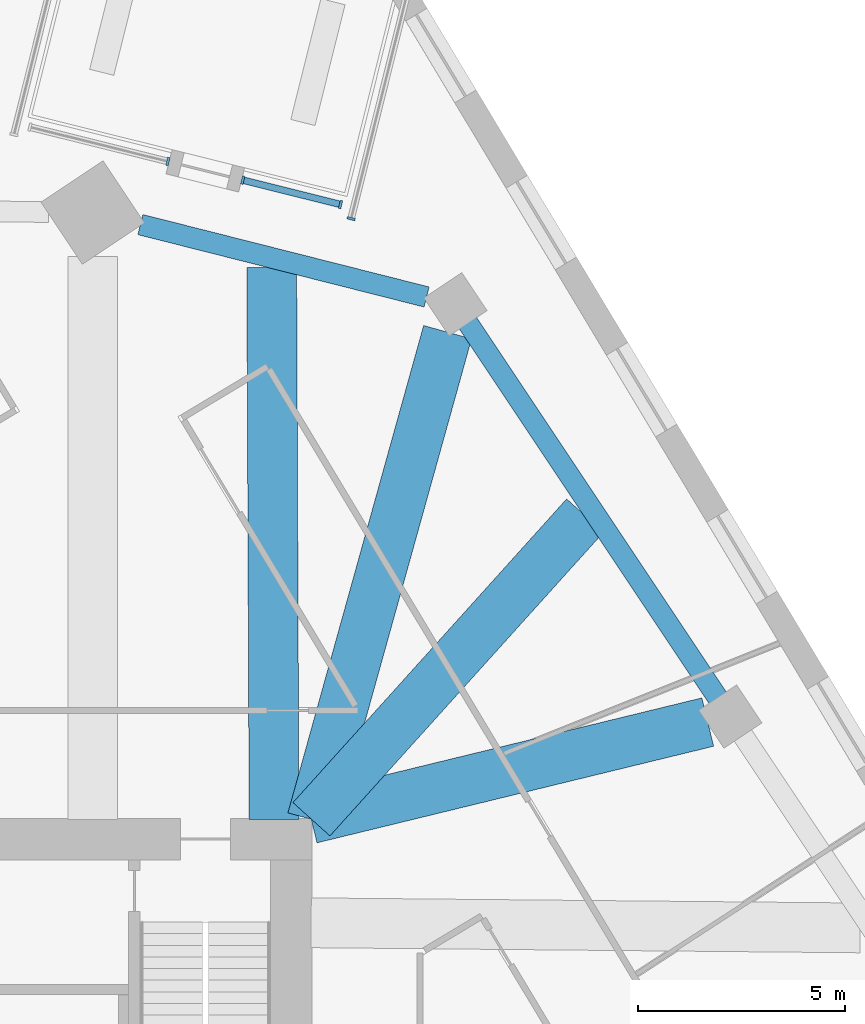
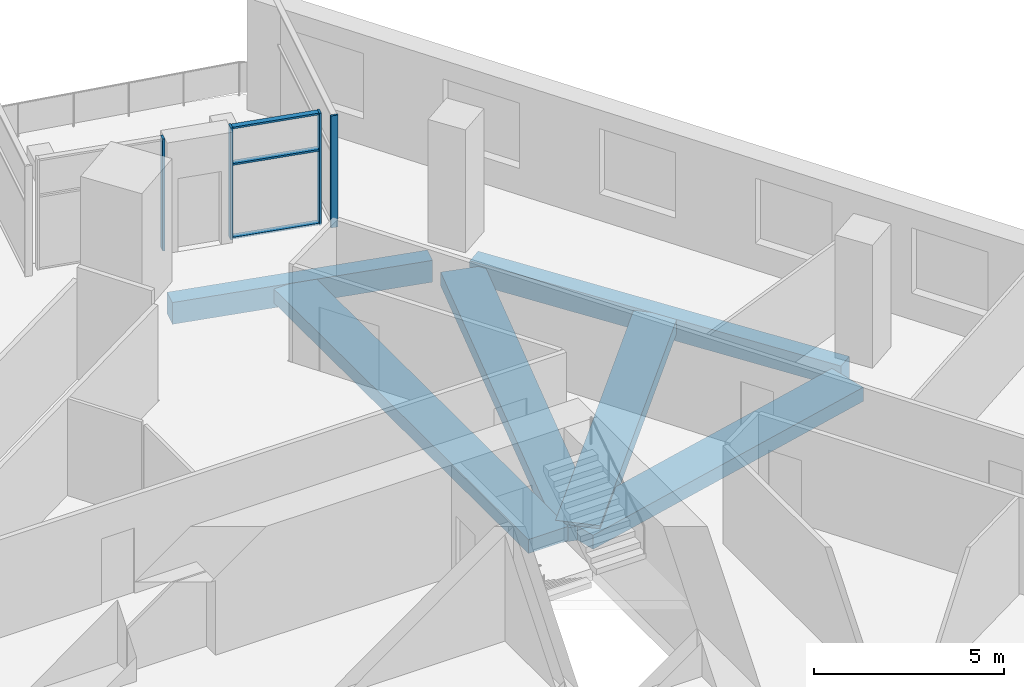
# One storey, part 2 of 14: 7 members, 6 beams, 3 elements without a shape of their own.
"""IFC4 building model written with IfcOpenShell, lengths in metres."""

import ifcopenshell
import ifcopenshell.guid

model = None  # the IFC model being written
_history = None  # IfcOwnerHistory: only IFC2X3 demands one
_inside = {}  # id of a spatial element -> (the spatial element, [elements in it])
_under = {}  # id of a project, library or spatial element -> (it, [spatial elements below it])
_declared = {}  # id of a project -> (the project, [libraries it declares])
_typed = {}  # id of a type object -> (the type object, [elements of that type])
_made_of = {}  # id of a material, layer set ... -> (it, [elements and type objects made of it])


def new_model(schema):
    """Start an empty IFC model of exactly this schema.

    Asked for "IFC4X3", IfcOpenShell would pick the latest addendum, in which some entities
    have other attributes; the version numbers below select the first issue.
    IFC2X3 requires an IfcOwnerHistory on every rooted entity: one is made here for all.
    """
    global model, _history
    if schema == "IFC4X3":
        model = ifcopenshell.file(schema_version=(4, 3, 0, 0))
    else:
        model = ifcopenshell.file(schema=schema)
    _inside.clear()
    _under.clear()
    _declared.clear()
    _typed.clear()
    _made_of.clear()
    _history = None
    if model.schema == "IFC2X3":
        org = make("IfcOrganization", Name="unknown")
        user = make(
            "IfcPersonAndOrganization",
            ThePerson=make("IfcPerson", FamilyName="unknown"),
            TheOrganization=org,
        )
        app = make(
            "IfcApplication",
            ApplicationDeveloper=org,
            Version="unknown",
            ApplicationFullName="unknown",
            ApplicationIdentifier="unknown",
        )
        _history = make(
            "IfcOwnerHistory",
            OwningUser=user,
            OwningApplication=app,
            ChangeAction="ADDED",
            CreationDate=0,
        )
    return model


def make(cls, **values):
    """One entity of the class cls with the attributes given. An attribute that is None is left unset."""
    return model.create_entity(
        cls, **{name: value for name, value in values.items() if value is not None}
    )


def rooted(cls, **values):
    """An entity with a GlobalId (a new one), such as an element, a storey or a relation."""
    return make(cls, GlobalId=ifcopenshell.guid.new(), OwnerHistory=_history, **values)


def si_unit(unit_type, name, prefix=None):
    """IfcSIUnit, for example si_unit("LENGTHUNIT", "METRE", prefix="MILLI")."""
    return make("IfcSIUnit", UnitType=unit_type, Prefix=prefix, Name=name)


def assignment(units):
    """IfcUnitAssignment: the units of a project."""
    return None if units is None else make("IfcUnitAssignment", Units=units)


def point(xyz):
    """IfcCartesianPoint."""
    return None if xyz is None else make("IfcCartesianPoint", Coordinates=xyz)


def direction(xyz):
    """IfcDirection."""
    return None if xyz is None else make("IfcDirection", DirectionRatios=xyz)


def frame(location, z_axis=None, x_axis=None):
    """IfcAxis2Placement3D, a coordinate frame: its origin and axes. An axis left out is left unset."""
    return make(
        "IfcAxis2Placement3D",
        Location=point(location),
        Axis=direction(z_axis),
        RefDirection=direction(x_axis),
    )


def frame_2d(location, x_axis=None):
    """IfcAxis2Placement2D, a coordinate frame in the plane: its origin and x axis."""
    return make(
        "IfcAxis2Placement2D", Location=point(location), RefDirection=direction(x_axis)
    )


def origin():
    """The frame at (0, 0, 0) with its axes left unset."""
    return frame((0.0, 0.0, 0.0))


def origin_2d():
    """The frame at (0, 0) in the plane with its x axis left unset."""
    return frame_2d((0.0, 0.0))


def place(relative_to, where):
    """IfcLocalPlacement: puts the frame where relative to a parent placement (None: the world)."""
    return make(
        "IfcLocalPlacement", PlacementRelTo=relative_to, RelativePlacement=where
    )


def context(
    kind, dimensions, precision=None, world=None, true_north=None, identifier=None
):
    """IfcGeometricRepresentationContext, for example the 3D "Model" context."""
    return make(
        "IfcGeometricRepresentationContext",
        ContextIdentifier=identifier,
        ContextType=kind,
        CoordinateSpaceDimension=dimensions,
        Precision=precision,
        WorldCoordinateSystem=world,
        TrueNorth=true_north,
    )


def subcontext(parent, identifier, kind, view, scale=None):
    """IfcGeometricRepresentationSubContext, for example "Body" below "Model"."""
    return make(
        "IfcGeometricRepresentationSubContext",
        ContextIdentifier=identifier,
        ContextType=kind,
        ParentContext=parent,
        TargetScale=scale,
        TargetView=view,
    )


def project(units=None, contexts=None):
    """IfcProject with its units and contexts."""
    return rooted(
        "IfcProject",
        Name="project",
        RepresentationContexts=contexts,
        UnitsInContext=assignment(units),
    )


def spatial(cls, under=None, at=None, **own):
    """A site, building, storey or space (cls), placed at a placement, below another one or the project."""
    s = rooted(cls, ObjectPlacement=at, **own)
    if under is not None:
        _under.setdefault(under.id(), (under, []))[1].append(s)
    return s


def profile(cls, at=None, kind="AREA", **sizes):
    """A parametric profile (cls). Its sizes go by their IFC names, for example OverallWidth=200.0."""
    return make(cls, ProfileType=kind, Position=at, **sizes)


def rectangle(**sizes):
    """IfcRectangleProfileDef."""
    return profile("IfcRectangleProfileDef", **sizes)


def extrude(swept, where, along, depth):
    """IfcExtrudedAreaSolid: the profile swept, set in the frame where, extruded along a direction by depth."""
    return make(
        "IfcExtrudedAreaSolid",
        SweptArea=swept,
        Position=where,
        ExtrudedDirection=direction(along),
        Depth=depth,
    )


def shape(context_of_items, identifier, shape_type, items):
    """IfcShapeRepresentation: the items that make up one representation, for example the "Body"."""
    return make(
        "IfcShapeRepresentation",
        ContextOfItems=context_of_items,
        RepresentationIdentifier=identifier,
        RepresentationType=shape_type,
        Items=items,
    )


def material(Name=None, Category=None):
    """IfcMaterial."""
    return make("IfcMaterial", Name=Name, Category=Category)


def material_profile(
    of_material, cross_section, Name=None, Category=None, Priority=None
):
    """IfcMaterialProfile: a cross section and its material."""
    return make(
        "IfcMaterialProfile",
        Name=Name,
        Material=of_material,
        Profile=cross_section,
        Priority=Priority,
        Category=Category,
    )


def profile_set(profiles, Name=None, composite=None):
    """IfcMaterialProfileSet."""
    return make(
        "IfcMaterialProfileSet",
        Name=Name,
        MaterialProfiles=profiles,
        CompositeProfile=composite,
    )


def made_of(thing, what):
    """Note that an element or type object is made of a material, layer set ...; save() writes the relation."""
    if what is not None:
        _made_of.setdefault(what.id(), (what, []))[1].append(thing)
    return thing


def type_object(cls, material=None, **own):
    """A type object (cls), such as IfcWallType, which elements share."""
    return made_of(rooted(cls, **own), material)


def element(
    cls,
    number,
    at=None,
    inside=None,
    cuts=None,
    type_object=None,
    material=None,
    context=None,
    identifier="Body",
    shape_type=None,
    held_by="IfcProductDefinitionShape",
    body=None,
    shapes=None,
    **own,
):
    """One element of the class cls, such as IfcWall. Its Tag is "e" and its number.

    at: its placement. inside: the storey or other place that contains it. cuts: it is an
    opening in that element (IfcRelVoidsElement). A single representation is given by context,
    identifier, shape_type and body (its items); several are given by shapes. held_by: the class
    of the entity that holds the representations. save() writes the other relations.
    """
    e = rooted(cls, Tag="e%d" % number, ObjectPlacement=at, **own)
    if body is not None:
        shapes = [shape(context, identifier, shape_type, body)]
    if shapes is not None:
        e.Representation = make(held_by, Representations=shapes)
    if inside is not None:
        _inside.setdefault(inside.id(), (inside, []))[1].append(e)
    if cuts is not None:
        rooted(
            "IfcRelVoidsElement", RelatingBuildingElement=cuts, RelatedOpeningElement=e
        )
    if type_object is not None:
        _typed.setdefault(type_object.id(), (type_object, []))[1].append(e)
    return made_of(e, material)


def aggregate(whole, parts):
    """IfcRelAggregates: a whole, such as a stair, and the parts it consists of."""
    return rooted("IfcRelAggregates", RelatingObject=whole, RelatedObjects=parts)


def save(model, path):
    """Write the relations noted so far, then the file.

    IfcRelAggregates (storeys below a building ...), IfcRelContainedInSpatialStructure (elements
    in a storey), IfcRelDefinesByType, IfcRelAssociatesMaterial and IfcRelDeclares: one each for
    every whole, place, type object, material and project.
    """
    for whole, parts in _under.values():
        aggregate(whole, parts)
    for where, things in _inside.values():
        rooted(
            "IfcRelContainedInSpatialStructure",
            RelatedElements=things,
            RelatingStructure=where,
        )
    for kind, things in _typed.values():
        rooted("IfcRelDefinesByType", RelatedObjects=things, RelatingType=kind)
    for what, things in _made_of.values():
        rooted("IfcRelAssociatesMaterial", RelatedObjects=things, RelatingMaterial=what)
    for by, libraries in _declared.values():
        rooted("IfcRelDeclares", RelatingContext=by, RelatedDefinitions=libraries)
    model.write(path)


model = new_model("IFC4")

# Units and contexts
model_context = context("Model", 3, precision=1e-05, world=origin(), true_north=direction((0.0, 1.0)))
body_context = subcontext(model_context, "Body", "Model", "MODEL_VIEW")
ifc_project = project(units=[si_unit("LENGTHUNIT", "METRE"), si_unit("AREAUNIT", "SQUARE_METRE"), si_unit("VOLUMEUNIT", "CUBIC_METRE"), si_unit("PLANEANGLEUNIT", "RADIAN"), si_unit("MASSUNIT", "GRAM", prefix="KILO")], contexts=[model_context])

# Site, building, storey
site_placement = place(None, origin())
site = spatial("IfcSite", under=ifc_project, at=site_placement, CompositionType="ELEMENT")
building_placement = place(site_placement, origin())
building = spatial("IfcBuilding", under=site, at=building_placement, Name="Dilmun Exchange Tower", CompositionType="ELEMENT")
storey_placement = place(building_placement, frame((0.0, 0.0, 147.699951171875)))
storey = spatial("IfcBuildingStorey", under=building, at=storey_placement, Name="L34", CompositionType="ELEMENT", Elevation=147.699951171875)

# Curtain wall, member
ifc_material_1 = material(Name="Anodised aluminium and clear glass", Category="aluminium")
curtain_wall_type = type_object("IfcCurtainWallType", Name="Garden corner glazing", PredefinedType="NOTDEFINED", material=ifc_material_1)
curtain_wall_1_placement = place(storey_placement, origin())
curtain_wall_1 = element("IfcCurtainWall", 1, at=curtain_wall_1_placement, inside=storey, type_object=curtain_wall_type, Name="Garden corner glazing run GC1.1", PredefinedType="NOTDEFINED")
ifc_material_2 = material(Name="Anodised aluminium", Category="aluminium")
ifc_material_profile_1 = material_profile(ifc_material_2, rectangle(XDim=0.199951171875, YDim=0.06005859375, at=origin_2d()), Name="AL 60x200")
ifc_profile_set_1 = profile_set([ifc_material_profile_1], Name="Anodised aluminium")
member_type_1 = type_object("IfcMemberType", Name="Garden corner glazing mullion 60 x 200", PredefinedType="MULLION", material=ifc_profile_set_1)
member_1_placement = place(storey_placement, frame((13.738037109375, 27.26171875, 0.0), z_axis=(0.0, 0.0, 1.0), x_axis=(0.970297683836, -0.241914044119, 0.0)))
member_1 = element("IfcMember", 2, at=member_1_placement, type_object=member_type_1, Name="GC1.1 mullion 2", PredefinedType="MULLION", context=body_context, shape_type="SweptSolid", body=[
    extrude(rectangle(XDim=0.199951171875, YDim=0.06005859375, at=origin_2d()), origin(), (0.0, 0.0, 1.0), 3.60009765625),
])
aggregate(curtain_wall_1, [member_1])

# Curtain wall, members
curtain_wall_2_placement = place(storey_placement, origin())
curtain_wall_2 = element("IfcCurtainWall", 3, at=curtain_wall_2_placement, inside=storey, type_object=curtain_wall_type, Name="Garden corner glazing run GC2.1", PredefinedType="NOTDEFINED")
member_2_placement = place(storey_placement, frame((13.48291015625, 27.603271484375, 0.0), z_axis=(0.0, 0.0, 1.0), x_axis=(-0.241940028841, -0.970291204971, 0.0)))
member_2 = element("IfcMember", 4, at=member_2_placement, type_object=member_type_1, Name="GC2.1 mullion 1", PredefinedType="MULLION", context=body_context, shape_type="SweptSolid", body=[
    extrude(rectangle(XDim=0.199951171875, YDim=0.06005859375, at=origin_2d()), origin(), (0.0, 0.0, 1.0), 3.60009765625),
])
member_3_placement = place(storey_placement, frame((11.126220703125, 28.191162109375, 0.0), z_axis=(0.0, 0.0, 1.0), x_axis=(-0.241940028841, -0.970291204971, 0.0)))
member_3 = element("IfcMember", 5, at=member_3_placement, type_object=member_type_1, Name="GC2.1 mullion 2", PredefinedType="MULLION", context=body_context, shape_type="SweptSolid", body=[
    extrude(rectangle(XDim=0.199951171875, YDim=0.06005859375, at=origin_2d()), origin(), (0.0, 0.0, 1.0), 3.60009765625),
])

# Curtain wall, member
curtain_wall_3_placement = place(storey_placement, origin())
curtain_wall_3 = element("IfcCurtainWall", 6, at=curtain_wall_3_placement, inside=storey, type_object=curtain_wall_type, Name="Garden corner glazing run GC2.3", PredefinedType="NOTDEFINED")
member_4_placement = place(storey_placement, frame((9.3212890625, 28.64111328125, 0.0), z_axis=(0.0, 0.0, 1.0), x_axis=(-0.24189492487, -0.970302450436, 0.0)))
member_4 = element("IfcMember", 7, at=member_4_placement, type_object=member_type_1, Name="GC2.3 mullion 1", PredefinedType="MULLION", context=body_context, shape_type="SweptSolid", body=[
    extrude(rectangle(XDim=0.199951171875, YDim=0.06005859375, at=origin_2d()), origin(), (0.0, 0.0, 1.0), 3.60009765625),
])
aggregate(curtain_wall_3, [member_4])

# Member
ifc_material_profile_2 = material_profile(ifc_material_2, rectangle(XDim=0.159912109375, YDim=0.06005859375, at=origin_2d()), Name="AL 60x160")
ifc_profile_set_2 = profile_set([ifc_material_profile_2], Name="Anodised aluminium")
member_type_2 = type_object("IfcMemberType", Name="Garden corner glazing transom 60 x 160", PredefinedType="USERDEFINED", material=ifc_profile_set_2)
member_5_placement = place(storey_placement, frame((13.453857421875, 27.610595703125, 0.030029296875), z_axis=(-0.970281769908, 0.241977864657, 0.0), x_axis=(-0.241977864657, -0.970281769908, 0.0)))
member_5 = element("IfcMember", 8, at=member_5_placement, type_object=member_type_2, Name="GC2.1 transom 1.1", ObjectType="TRANSOM", PredefinedType="USERDEFINED", context=body_context, shape_type="SweptSolid", body=[
    extrude(rectangle(XDim=0.159912109375, YDim=0.06005859375, at=origin_2d()), origin(), (0.0, 0.0, 1.0), 2.368896484375),
])

member_6_placement = place(storey_placement, frame((13.453857421875, 27.610595703125, 2.400146484375), z_axis=(-0.970281769908, 0.241977864657, 0.0), x_axis=(-0.241977864657, -0.970281769908, 0.0)))
member_6 = element("IfcMember", 9, at=member_6_placement, type_object=member_type_2, Name="GC2.1 transom 1.2", ObjectType="TRANSOM", PredefinedType="USERDEFINED", context=body_context, shape_type="SweptSolid", body=[
    extrude(rectangle(XDim=0.159912109375, YDim=0.06005859375, at=origin_2d()), origin(), (0.0, 0.0, 1.0), 2.368896484375),
])

member_7_placement = place(storey_placement, frame((13.453857421875, 27.610595703125, 3.570068359375), z_axis=(-0.970281769908, 0.241977864657, 0.0), x_axis=(-0.241977864657, -0.970281769908, 0.0)))
member_7 = element("IfcMember", 10, at=member_7_placement, type_object=member_type_2, Name="GC2.1 transom 1.3", ObjectType="TRANSOM", PredefinedType="USERDEFINED", context=body_context, shape_type="SweptSolid", body=[
    extrude(rectangle(XDim=0.159912109375, YDim=0.06005859375, at=origin_2d()), origin(), (0.0, 0.0, 1.0), 2.368896484375),
])

aggregate(curtain_wall_2, [member_2, member_3, member_5, member_6, member_7])

# Beams
ifc_material_3 = material(Name="Concrete C40/50", Category="concrete")
ifc_material_profile_3 = material_profile(ifc_material_3, rectangle(XDim=1.199951171875, YDim=0.449951171875, at=origin_2d()), Name="1200 x 450")
ifc_profile_set_3 = profile_set([ifc_material_profile_3], Name="Concrete C40/50")
beam_type_1 = type_object("IfcBeamType", Name="RC band beam 1200 x 450 C40/50", PredefinedType="BEAM", material=ifc_profile_set_3)
beam_1_placement = place(storey_placement, frame((22.33837890625, 15.122802734375, -0.724853515625), z_axis=(-0.971607999859, -0.236596480554, 0.0), x_axis=(0.236596480554, -0.971607999859, 0.0)))
element("IfcBeam", 11, at=beam_1_placement, inside=storey, type_object=beam_type_1, Name="Band beam 15", PredefinedType="BEAM", context=body_context, shape_type="SweptSolid", body=[
    extrude(rectangle(XDim=1.199951171875, YDim=0.449951171875, at=origin_2d()), origin(), (0.0, 0.0, 1.0), 9.84423828125),
])
beam_2_placement = place(storey_placement, frame((16.064453125, 24.524658203125, -0.724853515625), z_axis=(-0.268225004284, -0.963356292904, 0.0), x_axis=(0.963356292904, -0.268225004284, 0.0)))
element("IfcBeam", 12, at=beam_2_placement, inside=storey, type_object=beam_type_1, Name="Band beam 16", PredefinedType="BEAM", context=body_context, shape_type="SweptSolid", body=[
    extrude(rectangle(XDim=1.199951171875, YDim=0.449951171875, at=origin_2d()), origin(), (0.0, 0.0, 1.0), 12.19775390625),
])
beam_3_placement = place(storey_placement, frame((19.381103515625, 20.102783203125, -0.625), z_axis=(-0.669462647611, -0.742845719819, 0.0), x_axis=(0.742845719819, -0.669462647611, 0.0)))
element("IfcBeam", 13, at=beam_3_placement, inside=storey, type_object=beam_type_1, Name="Band beam 31", PredefinedType="BEAM", context=body_context, shape_type="SweptSolid", body=[
    extrude(rectangle(XDim=1.199951171875, YDim=0.449951171875, at=origin_2d()), origin(), (0.0, 0.0, 1.0), 9.857666015625),
])
beam_4_placement = place(storey_placement, frame((11.82421875, 26.087890625, -0.625), z_axis=(0.004107193345, -0.999991565446, 0.0), x_axis=(0.999991565446, 0.004107193345, 0.0)))
element("IfcBeam", 14, at=beam_4_placement, inside=storey, type_object=beam_type_1, Name="Band beam 32", PredefinedType="BEAM", context=body_context, shape_type="SweptSolid", body=[
    extrude(rectangle(XDim=1.199951171875, YDim=0.449951171875, at=origin_2d()), origin(), (0.0, 0.0, 1.0), 13.31494140625),
])
ifc_material_profile_4 = material_profile(ifc_material_3, rectangle(XDim=0.5, YDim=0.699951171875, at=origin_2d()), Name="500 x 700")
ifc_profile_set_4 = profile_set([ifc_material_profile_4], Name="Concrete C40/50")
beam_type_2 = type_object("IfcBeamType", Name="RC ring beam 500 x 700 C40/50", PredefinedType="SPANDREL", material=ifc_profile_set_4)
beam_5_placement = place(storey_placement, frame((22.5908203125, 15.690185546875, -0.75), z_axis=(-0.554731197186, 0.832029626196, 0.0), x_axis=(-0.832029626196, -0.554731197186, 0.0)))
element("IfcBeam", 15, at=beam_5_placement, inside=storey, type_object=beam_type_2, Name="Ring beam 15", PredefinedType="SPANDREL", context=body_context, shape_type="SweptSolid", body=[
    extrude(rectangle(XDim=0.5, YDim=0.699951171875, at=origin_2d()), origin(), (0.0, 0.0, 1.0), 10.904052734375),
])
beam_6_placement = place(storey_placement, frame((15.559326171875, 25.373291015625, -0.75), z_axis=(-0.96947736899, 0.245180812903, 0.0), x_axis=(-0.245180812903, -0.96947736899, 0.0)))
element("IfcBeam", 16, at=beam_6_placement, inside=storey, type_object=beam_type_2, Name="Ring beam 16", PredefinedType="SPANDREL", context=body_context, shape_type="SweptSolid", body=[
    extrude(rectangle(XDim=0.5, YDim=0.699951171875, at=origin_2d()), origin(), (0.0, 0.0, 1.0), 7.12060546875),
])

save(model, "model.ifc")
